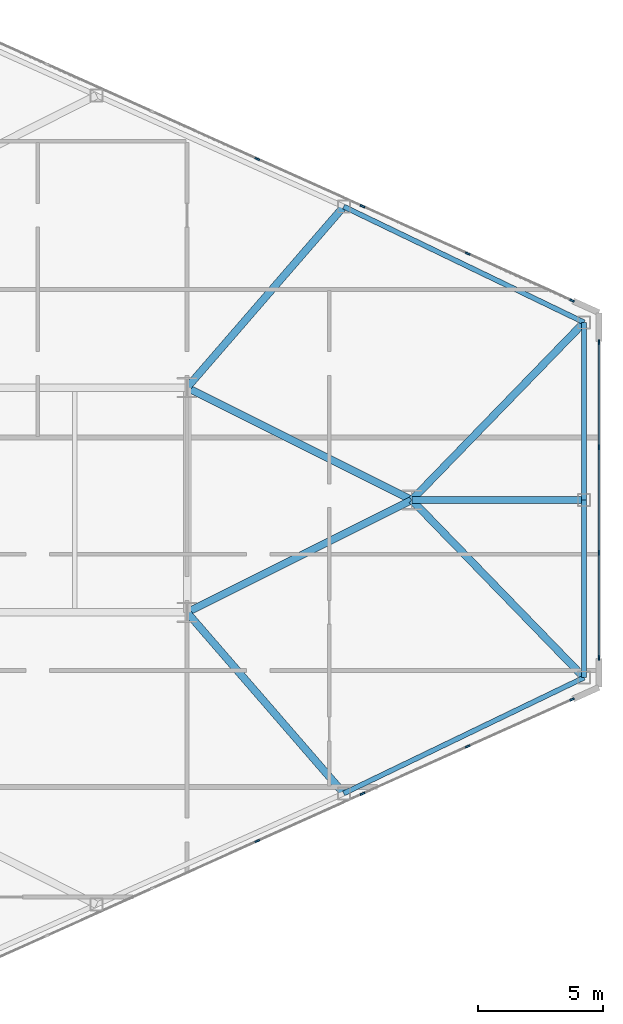
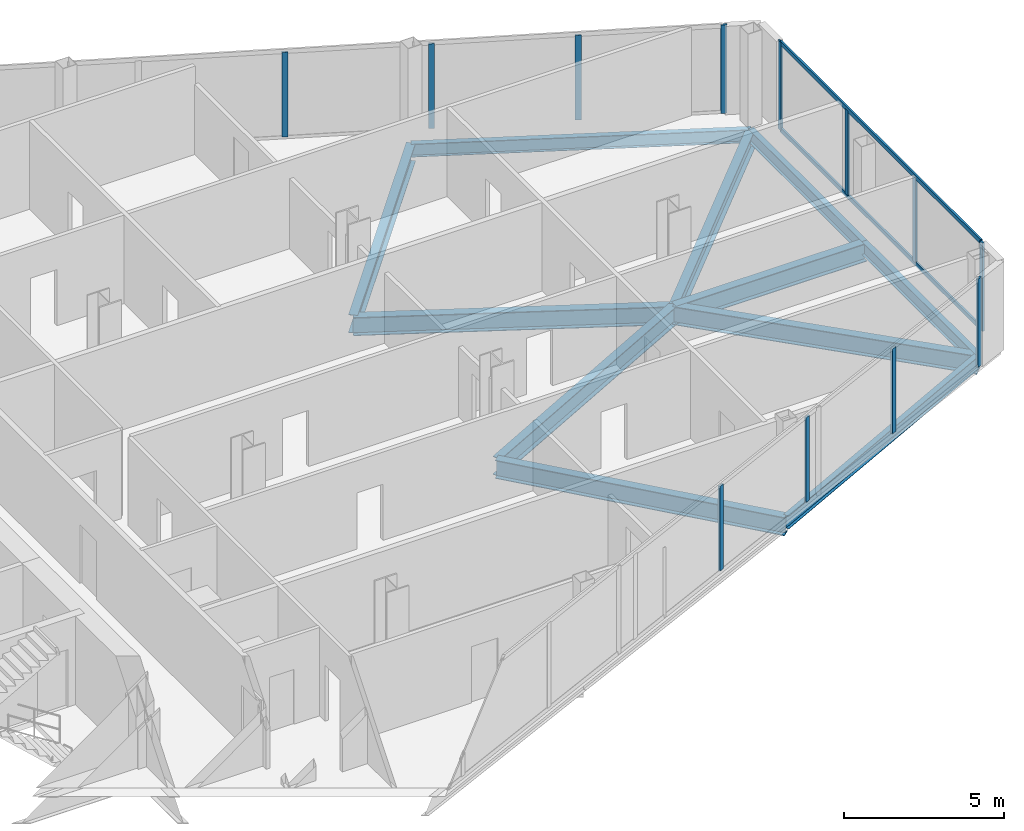
# One storey, part 16 of 27: 14 members, 11 beams, 3 elements without a shape of their own.
"""IFC4 building model written with IfcOpenShell, lengths in metres."""

from ifc_helpers import new_model, si_unit, direction, frame, origin, origin_2d, place, context, subcontext, project, spatial, rectangle, i_section, extrude, source, transform, mapped, material, layer, layer_set, material_profile, profile_set, type_object, type_shapes, element, aggregate, save


model = new_model("IFC4")

# Units and contexts
model_context = context("Model", 3, precision=1e-05, world=origin(), true_north=direction((0.0, 1.0)))
body_context = subcontext(model_context, "Body", "Model", "MODEL_VIEW")
ifc_project = project(units=[si_unit("LENGTHUNIT", "METRE"), si_unit("AREAUNIT", "SQUARE_METRE"), si_unit("VOLUMEUNIT", "CUBIC_METRE"), si_unit("PLANEANGLEUNIT", "RADIAN"), si_unit("MASSUNIT", "GRAM", prefix="KILO")], contexts=[model_context])

# Site, building, storey
site_placement = place(None, origin())
site = spatial("IfcSite", under=ifc_project, at=site_placement, CompositionType="ELEMENT")
building_placement = place(site_placement, origin())
building = spatial("IfcBuilding", under=site, at=building_placement, Name="Seokmaru Belvedere", CompositionType="ELEMENT")
storey_placement = place(building_placement, frame((0.0, 0.0, 65.699951171875)))
storey = spatial("IfcBuildingStorey", under=building, at=storey_placement, Name="L17", CompositionType="ELEMENT", Elevation=65.699951171875)

# Beams
ifc_material_1 = material(Name="Steel SM355 (355 MPa)", Category="steel")
ifc_material_profile_1 = material_profile(ifc_material_1, i_section(OverallWidth=0.300048828125, OverallDepth=0.699951171875, WebThickness=0.012939453125, FlangeThickness=0.02392578125, at=origin_2d()), Name="H-700x300x13x24")
ifc_profile_set_1 = profile_set([ifc_material_profile_1], Name="Steel SM355 (355 MPa)")
beam_type_1 = type_object("IfcBeamType", Name="Primary Floor Girder H-700", PredefinedType="BEAM", material=ifc_profile_set_1)
shared_shape_1 = source(origin(), body_context, "Body", "SweptSolid", [
    extrude(i_section(OverallWidth=0.300048828125, OverallDepth=0.699951171875, WebThickness=0.012939453125, FlangeThickness=0.02392578125, at=origin_2d()), origin(), (0.0, 0.0, 1.0), 10.062255859375),
])
for number, where, z_axis, x_axis, name in (
    (1, (54.5, -4.5, -0.570068359375), (0.894427191, 0.4472135955, 0.0), (-0.4472135955, 0.894427191, 0.0), "L17 E Apex Converging Girder 1"),
    (2, (54.5, 4.5, -0.570068359375), (0.894427191, -0.4472135955, 0.0), (0.4472135955, 0.894427191, 0.0), "L17 E Apex Converging Girder 2"),
):
    element("IfcBeam", number, at=place(storey_placement, frame(where, z_axis=z_axis, x_axis=x_axis)), inside=storey, type_object=beam_type_1, Name=name, PredefinedType="BEAM", context=body_context, shape_type="MappedRepresentation", body=[
        mapped(shared_shape_1, transform((0.0, 0.0, 0.0), scale=1.0)),
    ])
ifc_material_profile_2 = material_profile(ifc_material_1, i_section(OverallWidth=0.199951171875, OverallDepth=0.5, WebThickness=0.010009765625, FlangeThickness=0.01611328125, at=origin_2d()), Name="H-500x200x10x16")
ifc_profile_set_2 = profile_set([ifc_material_profile_2], Name="Steel SM355 (355 MPa)")
beam_type_2 = type_object("IfcBeamType", Name="Perimeter Spandrel Beam H-500", PredefinedType="SPANDREL", material=ifc_profile_set_2)
shared_shape_2 = source(origin(), body_context, "Body", "SweptSolid", [
    extrude(i_section(OverallWidth=0.199951171875, OverallDepth=0.5, WebThickness=0.010009765625, FlangeThickness=0.01611328125, at=origin_2d()), origin(), (0.0, 0.0, 1.0), 10.681396484375),
])
for number, where, z_axis, x_axis, name in (
    (3, (60.777587890625, -11.749267578125, -0.469970703125), (0.900846426616, 0.434137899352, 0.0), (-0.434137899352, 0.900846426616, 0.0), "L17 E Faceted Flank Spandrel S-4"),
    (4, (60.777587890625, 11.749267578125, -0.469970703125), (0.900846426616, -0.434137899352, 0.0), (0.434137899352, 0.900846426616, 0.0), "L17 E Faceted Flank Spandrel N-4"),
):
    element("IfcBeam", number, at=place(storey_placement, frame(where, z_axis=z_axis, x_axis=x_axis)), inside=storey, type_object=beam_type_2, Name=name, PredefinedType="SPANDREL", context=body_context, shape_type="MappedRepresentation", body=[
        mapped(shared_shape_2, transform((0.0, 0.0, 0.0), scale=1.0)),
    ])
shared_shape_3 = source(origin(), body_context, "Body", "SweptSolid", [
    extrude(i_section(OverallWidth=0.199951171875, OverallDepth=0.5, WebThickness=0.010009765625, FlangeThickness=0.01611328125, at=origin_2d()), origin(), (0.0, 0.0, 1.0), 7.112060546875),
])
type_shapes(beam_type_2, [shared_shape_2, shared_shape_3])
for number, where, z_axis, x_axis, name in (
    (5, (70.39990234375, -7.112060546875, -0.469970703125), (0.0, 1.0, 0.0), (-1.0, 0.0, 0.0), "L17 E Faceted Apex Spandrel S"),
    (6, (70.39990234375, 0.0, -0.469970703125), (0.0, 1.0, 0.0), (-1.0, 0.0, 0.0), "L17 E Faceted Apex Spandrel N"),
):
    element("IfcBeam", number, at=place(storey_placement, frame(where, z_axis=z_axis, x_axis=x_axis)), inside=storey, type_object=beam_type_2, Name=name, PredefinedType="SPANDREL", context=body_context, shape_type="MappedRepresentation", body=[
        mapped(shared_shape_3, transform((0.0, 0.0, 0.0), scale=1.0)),
    ])
shared_shape_4 = source(origin(), body_context, "Body", "SweptSolid", [
    extrude(i_section(OverallWidth=0.300048828125, OverallDepth=0.699951171875, WebThickness=0.012939453125, FlangeThickness=0.02392578125, at=origin_2d()), origin(), (0.0, 0.0, 1.0), 9.589599609375),
])
for number, where, z_axis, x_axis, name in (
    (7, (60.777587890625, -11.749267578125, -0.570068359375), (-0.654626140929, 0.755952786629, 0.0), (-0.755952786629, -0.654626140929, 0.0), "L17 E Flank Radial Floor Girder S-3"),
    (8, (60.777587890625, 11.749267578125, -0.570068359375), (-0.654626140929, -0.755952786629, 0.0), (0.755952786629, -0.654626140929, 0.0), "L17 E Flank Radial Floor Girder N-3"),
):
    element("IfcBeam", number, at=place(storey_placement, frame(where, z_axis=z_axis, x_axis=x_axis)), inside=storey, type_object=beam_type_1, Name=name, PredefinedType="BEAM", context=body_context, shape_type="MappedRepresentation", body=[
        mapped(shared_shape_4, transform((0.0, 0.0, 0.0), scale=1.0)),
    ])
shared_shape_5 = source(origin(), body_context, "Body", "SweptSolid", [
    extrude(i_section(OverallWidth=0.300048828125, OverallDepth=0.699951171875, WebThickness=0.012939453125, FlangeThickness=0.02392578125, at=origin_2d()), origin(), (0.0, 0.0, 1.0), 9.9091796875),
])
for number, where, z_axis, x_axis, name in (
    (9, (70.39990234375, -7.112060546875, -0.570068359375), (-0.6963205089, 0.717730972499, 0.0), (-0.717730972499, -0.6963205089, 0.0), "L17 E Apex Radial Floor Girder 1"),
    (10, (70.39990234375, 7.112060546875, -0.570068359375), (-0.6963205089, -0.717730972499, 0.0), (0.717730972499, -0.6963205089, 0.0), "L17 E Apex Radial Floor Girder 2"),
):
    element("IfcBeam", number, at=place(storey_placement, frame(where, z_axis=z_axis, x_axis=x_axis)), inside=storey, type_object=beam_type_1, Name=name, PredefinedType="BEAM", context=body_context, shape_type="MappedRepresentation", body=[
        mapped(shared_shape_5, transform((0.0, 0.0, 0.0), scale=1.0)),
    ])
shared_shape_6 = source(origin(), body_context, "Body", "SweptSolid", [
    extrude(i_section(OverallWidth=0.300048828125, OverallDepth=0.699951171875, WebThickness=0.012939453125, FlangeThickness=0.02392578125, at=origin_2d()), origin(), (0.0, 0.0, 1.0), 6.89990234375),
])
type_shapes(beam_type_1, [shared_shape_1, shared_shape_4, shared_shape_5, shared_shape_6])
beam_placement = place(storey_placement, frame((70.39990234375, 0.0, -0.570068359375), z_axis=(-1.0, 0.0, 0.0), x_axis=(0.0, -1.0, 0.0)))
element("IfcBeam", 11, at=beam_placement, inside=storey, type_object=beam_type_1, Name="L17 E Apex Center Radial Girder", PredefinedType="BEAM", context=body_context, shape_type="MappedRepresentation", body=[
    mapped(shared_shape_6, transform((0.0, 0.0, 0.0), scale=1.0)),
])

# Curtain wall, members
ifc_material_2 = material(Name="Bronze Triple Insulating Glass", Category="glass")
ifc_layer = layer(ifc_material_2, 0.195068359375)
ifc_layer_set = layer_set([ifc_layer], Name="Bronze Triple Insulating Glass")
curtain_wall_type = type_object("IfcCurtainWallType", Name="Lower-Mid Tapered Curtain Wall System CW-3", PredefinedType="NOTDEFINED", material=ifc_layer_set)
curtain_wall_1_placement = place(storey_placement, origin())
curtain_wall_1 = element("IfcCurtainWall", 12, at=curtain_wall_1_placement, inside=storey, type_object=curtain_wall_type, Name="L17 Curtain Wall EF1", PredefinedType="NOTDEFINED")
ifc_material_3 = material(Name="Anodised Bronze Aluminium", Category="aluminium")
ifc_material_profile_3 = material_profile(ifc_material_3, rectangle(XDim=0.070068359375, YDim=0.195068359375, at=origin_2d()), Name="CW-M-70x195")
ifc_profile_set_3 = profile_set([ifc_material_profile_3], Name="Anodised Bronze Aluminium")
member_type_1 = type_object("IfcMemberType", Name="Bronze Unitised Mullion 70x195", PredefinedType="MULLION", material=ifc_profile_set_3)
shared_shape_7 = source(origin(), body_context, "Body", "SweptSolid", [
    extrude(rectangle(XDim=0.070068359375, YDim=0.195068359375, at=origin_2d()), origin(), (0.0, 0.0, 1.0), 3.239990234375),
])
member_1_placement = place(storey_placement, frame((57.317138671875, -13.6572265625, 0.070068359375), z_axis=(0.0, 0.0, 1.0), x_axis=(-0.41036554765, 0.91192111353, 0.0)))
member_1 = element("IfcMember", 13, at=member_1_placement, type_object=member_type_1, Name="CW:L17:EF1 Mullion 7", PredefinedType="MULLION", context=body_context, shape_type="MappedRepresentation", body=[
    mapped(shared_shape_7, transform((0.0, 0.0, 0.0), scale=1.0)),
])
member_2_placement = place(storey_placement, frame((61.528564453125, -11.76220703125, 0.070068359375), z_axis=(0.0, 0.0, 1.0), x_axis=(-0.41036554765, 0.91192111353, 0.0)))
member_2 = element("IfcMember", 14, at=member_2_placement, type_object=member_type_1, Name="CW:L17:EF1 Mullion 8", PredefinedType="MULLION", context=body_context, shape_type="MappedRepresentation", body=[
    mapped(shared_shape_7, transform((0.0, 0.0, 0.0), scale=1.0)),
])
member_3_placement = place(storey_placement, frame((65.739990234375, -9.866943359375, 0.070068359375), z_axis=(0.0, 0.0, 1.0), x_axis=(-0.41036554765, 0.91192111353, 0.0)))
member_3 = element("IfcMember", 15, at=member_3_placement, type_object=member_type_1, Name="CW:L17:EF1 Mullion 9", PredefinedType="MULLION", context=body_context, shape_type="MappedRepresentation", body=[
    mapped(shared_shape_7, transform((0.0, 0.0, 0.0), scale=1.0)),
])

curtain_wall_2_placement = place(storey_placement, origin())
curtain_wall_2 = element("IfcCurtainWall", 16, at=curtain_wall_2_placement, inside=storey, type_object=curtain_wall_type, Name="L17 Curtain Wall EF2", PredefinedType="NOTDEFINED")
member_4_placement = place(storey_placement, frame((71.0, -2.11669921875, 0.070068359375), z_axis=(0.0, 0.0, 1.0), x_axis=(-1.0, 0.0, 0.0)))
member_4 = element("IfcMember", 17, at=member_4_placement, type_object=member_type_1, Name="CW:L17:EF2 Mullion 2", PredefinedType="MULLION", context=body_context, shape_type="MappedRepresentation", body=[
    mapped(shared_shape_7, transform((0.0, 0.0, 0.0), scale=1.0)),
])
member_5_placement = place(storey_placement, frame((71.0, 2.11669921875, 0.070068359375), z_axis=(0.0, 0.0, 1.0), x_axis=(-1.0, 0.0, 0.0)))
member_5 = element("IfcMember", 18, at=member_5_placement, type_object=member_type_1, Name="CW:L17:EF2 Mullion 3", PredefinedType="MULLION", context=body_context, shape_type="MappedRepresentation", body=[
    mapped(shared_shape_7, transform((0.0, 0.0, 0.0), scale=1.0)),
])

curtain_wall_3_placement = place(storey_placement, origin())
curtain_wall_3 = element("IfcCurtainWall", 19, at=curtain_wall_3_placement, inside=storey, type_object=curtain_wall_type, Name="L17 Curtain Wall EF3", PredefinedType="NOTDEFINED")
member_6_placement = place(storey_placement, frame((65.739990234375, 9.866943359375, 0.070068359375), z_axis=(0.0, 0.0, 1.0), x_axis=(-0.41036554765, -0.91192111353, 0.0)))
member_6 = element("IfcMember", 20, at=member_6_placement, type_object=member_type_1, Name="CW:L17:EF3 Mullion 2", PredefinedType="MULLION", context=body_context, shape_type="MappedRepresentation", body=[
    mapped(shared_shape_7, transform((0.0, 0.0, 0.0), scale=1.0)),
])
member_7_placement = place(storey_placement, frame((61.528564453125, 11.76220703125, 0.070068359375), z_axis=(0.0, 0.0, 1.0), x_axis=(-0.41036554765, -0.91192111353, 0.0)))
member_7 = element("IfcMember", 21, at=member_7_placement, type_object=member_type_1, Name="CW:L17:EF3 Mullion 3", PredefinedType="MULLION", context=body_context, shape_type="MappedRepresentation", body=[
    mapped(shared_shape_7, transform((0.0, 0.0, 0.0), scale=1.0)),
])
member_8_placement = place(storey_placement, frame((57.317138671875, 13.6572265625, 0.070068359375), z_axis=(0.0, 0.0, 1.0), x_axis=(-0.41036554765, -0.91192111353, 0.0)))
member_8 = element("IfcMember", 22, at=member_8_placement, type_object=member_type_1, Name="CW:L17:EF3 Mullion 4", PredefinedType="MULLION", context=body_context, shape_type="MappedRepresentation", body=[
    mapped(shared_shape_7, transform((0.0, 0.0, 0.0), scale=1.0)),
])

# Member
ifc_material_profile_4 = material_profile(ifc_material_3, rectangle(XDim=0.070068359375, YDim=0.1650390625, at=origin_2d()), Name="CW-T-70x165")
ifc_profile_set_4 = profile_set([ifc_material_profile_4], Name="Anodised Bronze Aluminium")
member_type_2 = type_object("IfcMemberType", Name="Bronze Unitised Transom 70x165", PredefinedType="USERDEFINED", material=ifc_profile_set_4)
shared_shape_8 = source(origin(), body_context, "Body", "SweptSolid", [
    extrude(rectangle(XDim=0.070068359375, YDim=0.1650390625, at=origin_2d()), origin(), (0.0, 0.0, 1.0), 12.56005859375),
])
type_shapes(member_type_2, [shared_shape_8])
member_9_placement = place(storey_placement, frame((71.0, -6.280029296875, 0.03515625), z_axis=(0.0, 1.0, 0.0), x_axis=(-1.0, 0.0, 0.0)))
member_9 = element("IfcMember", 23, at=member_9_placement, type_object=member_type_2, Name="CW:L17:EF2 Continuous Transom 1", ObjectType="TRANSOM", PredefinedType="USERDEFINED", context=body_context, shape_type="MappedRepresentation", body=[
    mapped(shared_shape_8, transform((0.0, 0.0, 0.0), scale=1.0)),
])

member_10_placement = place(storey_placement, frame((71.0, -6.280029296875, 3.344970703125), z_axis=(0.0, 1.0, 0.0), x_axis=(-1.0, 0.0, 0.0)))
member_10 = element("IfcMember", 24, at=member_10_placement, type_object=member_type_2, Name="CW:L17:EF2 Continuous Transom 2", ObjectType="TRANSOM", PredefinedType="USERDEFINED", context=body_context, shape_type="MappedRepresentation", body=[
    mapped(shared_shape_8, transform((0.0, 0.0, 0.0), scale=1.0)),
])

shared_shape_9 = source(origin(), body_context, "Body", "SweptSolid", [
    extrude(rectangle(XDim=0.070068359375, YDim=0.195068359375, at=origin_2d()), origin(), (0.0, 0.0, 1.0), 3.380126953125),
])
type_shapes(member_type_1, [shared_shape_7, shared_shape_9])
member_11_placement = place(storey_placement, frame((69.91943359375, -7.986328125, 0.0), z_axis=(0.0, 0.0, 1.0), x_axis=(-0.41036554765, 0.91192111353, 0.0)))
member_11 = element("IfcMember", 25, at=member_11_placement, type_object=member_type_1, Name="CW:L17:EF1 Mullion 10", PredefinedType="MULLION", context=body_context, shape_type="MappedRepresentation", body=[
    mapped(shared_shape_9, transform((0.0, 0.0, 0.0), scale=1.0)),
])

aggregate(curtain_wall_1, [member_1, member_2, member_3, member_11])

member_12_placement = place(storey_placement, frame((71.0, -6.31494140625, 0.0), z_axis=(0.0, 0.0, 1.0), x_axis=(-1.0, 0.0, 0.0)))
member_12 = element("IfcMember", 26, at=member_12_placement, type_object=member_type_1, Name="CW:L17:EF2 Mullion 1", PredefinedType="MULLION", context=body_context, shape_type="MappedRepresentation", body=[
    mapped(shared_shape_9, transform((0.0, 0.0, 0.0), scale=1.0)),
])

member_13_placement = place(storey_placement, frame((71.0, 6.31494140625, 0.0), z_axis=(0.0, 0.0, 1.0), x_axis=(-1.0, 0.0, 0.0)))
member_13 = element("IfcMember", 27, at=member_13_placement, type_object=member_type_1, Name="CW:L17:EF2 Mullion 4", PredefinedType="MULLION", context=body_context, shape_type="MappedRepresentation", body=[
    mapped(shared_shape_9, transform((0.0, 0.0, 0.0), scale=1.0)),
])

aggregate(curtain_wall_2, [member_12, member_4, member_5, member_13, member_9, member_10])

member_14_placement = place(storey_placement, frame((69.91943359375, 7.986328125, 0.0), z_axis=(0.0, 0.0, 1.0), x_axis=(-0.41036554765, -0.91192111353, 0.0)))
member_14 = element("IfcMember", 28, at=member_14_placement, type_object=member_type_1, Name="CW:L17:EF3 Mullion 1", PredefinedType="MULLION", context=body_context, shape_type="MappedRepresentation", body=[
    mapped(shared_shape_9, transform((0.0, 0.0, 0.0), scale=1.0)),
])

aggregate(curtain_wall_3, [member_14, member_6, member_7, member_8])

save(model, "model.ifc")
